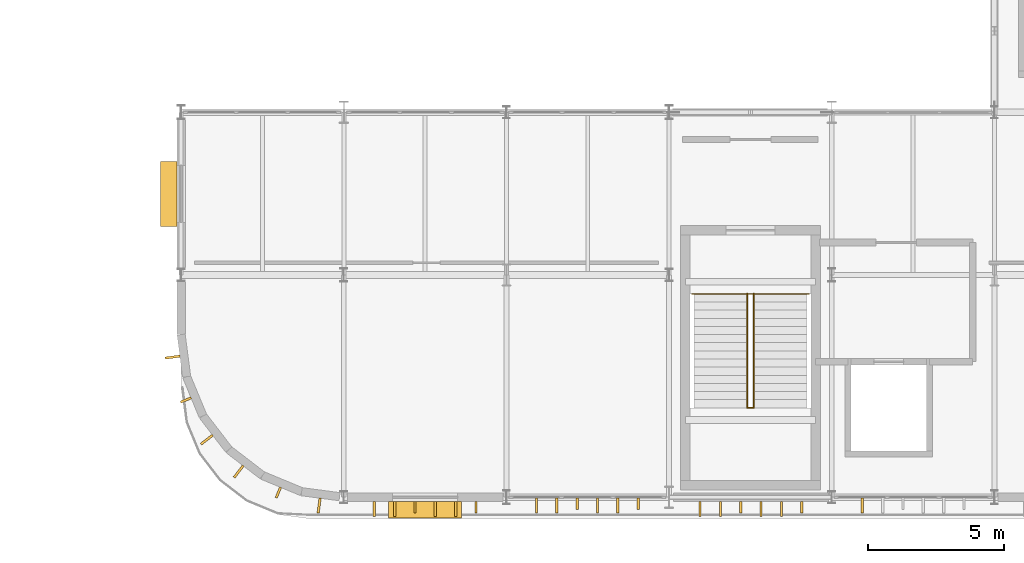
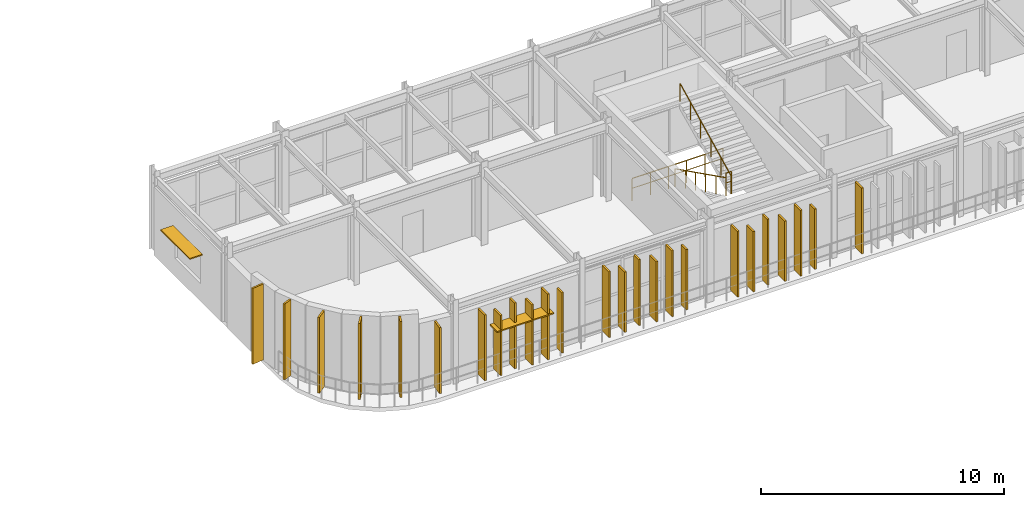
# One storey, part 75 of 83: 25 coverings, 4 railings, 2 shading devices.
"""IFC4 building model written with IfcOpenShell, lengths in metres."""

from ifc_helpers import new_model, si_unit, direction, frame, origin, origin_2d, place, context, subcontext, project, spatial, rectangle, circle, extrude, material, layer, layer_set, type_object, element, save


model = new_model("IFC4")

# Units and contexts
model_context = context("Model", 3, precision=1e-05, world=origin(), true_north=direction((0.0, 1.0)))
body_context = subcontext(model_context, "Body", "Model", "MODEL_VIEW")
ifc_project = project(units=[si_unit("LENGTHUNIT", "METRE"), si_unit("AREAUNIT", "SQUARE_METRE"), si_unit("VOLUMEUNIT", "CUBIC_METRE"), si_unit("PLANEANGLEUNIT", "RADIAN"), si_unit("MASSUNIT", "GRAM", prefix="KILO")], contexts=[model_context])

# Site, building, storey
site_placement = place(None, origin())
site = spatial("IfcSite", under=ifc_project, at=site_placement, CompositionType="ELEMENT")
building_placement = place(site_placement, origin())
building = spatial("IfcBuilding", under=site, at=building_placement, Name="Varnakota Square Police Headquarters", CompositionType="ELEMENT")
storey_placement = place(building_placement, frame((0.0, 0.0, 18.0)))
storey = spatial("IfcBuildingStorey", under=building, at=storey_placement, Name="L04", CompositionType="ELEMENT", Elevation=18.0)

# Coverings
ifc_material_1 = material(Name="White Anodised Aluminium Vertical Facade Blade 420", Category="aluminium")
ifc_layer_1 = layer(ifc_material_1, 0.0849609375, Name="White Anodised Aluminium Vertical Facade Blade 420")
ifc_layer_set_1 = layer_set([ifc_layer_1], Name="White Anodised Aluminium Vertical Facade Blade 420")
covering_type_1 = type_object("IfcCoveringType", Name="COV-FIN-420", PredefinedType="CLADDING", material=ifc_layer_set_1)
covering_1_placement = place(storey_placement, frame((116.625, 0.43505859375, 0.0400390625), z_axis=(0.0, 0.0, 1.0), x_axis=(1.0, 0.0, 0.0)))
element("IfcCovering", 1, at=covering_1_placement, inside=storey, type_object=covering_type_1, Name="Vertical aluminium facade fin FIN-0530", PredefinedType="CLADDING", context=body_context, shape_type="SweptSolid", body=[
    extrude(rectangle(XDim=0.0849609375, YDim=0.419921875, at=origin_2d()), origin(), (0.0, 0.0, 1.0), 3.31005859375),
])
covering_2_placement = place(storey_placement, frame((118.875, 0.43505859375, 0.0400390625), z_axis=(0.0, 0.0, 1.0), x_axis=(1.0, 0.0, 0.0)))
element("IfcCovering", 2, at=covering_2_placement, inside=storey, type_object=covering_type_1, Name="Vertical aluminium facade fin FIN-0533", PredefinedType="CLADDING", context=body_context, shape_type="SweptSolid", body=[
    extrude(rectangle(XDim=0.0849609375, YDim=0.419921875, at=origin_2d()), origin(), (0.0, 0.0, 1.0), 3.030029296875),
])
covering_3_placement = place(storey_placement, frame((122.607421875, 0.5625, 0.0400390625), z_axis=(0.0, 0.0, 1.0), x_axis=(1.0, 0.0, 0.0)))
element("IfcCovering", 3, at=covering_3_placement, inside=storey, type_object=covering_type_1, Name="Vertical aluminium facade fin FIN-0536", PredefinedType="CLADDING", context=body_context, shape_type="SweptSolid", body=[
    extrude(rectangle(XDim=0.0849609375, YDim=0.419921875, at=origin_2d()), origin(), (0.0, 0.0, 1.0), 3.31005859375),
])
covering_4_placement = place(storey_placement, frame((124.857421875, 0.5625, 0.0400390625), z_axis=(0.0, 0.0, 1.0), x_axis=(1.0, 0.0, 0.0)))
element("IfcCovering", 4, at=covering_4_placement, inside=storey, type_object=covering_type_1, Name="Vertical aluminium facade fin FIN-0539", PredefinedType="CLADDING", context=body_context, shape_type="SweptSolid", body=[
    extrude(rectangle(XDim=0.0849609375, YDim=0.419921875, at=origin_2d()), origin(), (0.0, 0.0, 1.0), 3.030029296875),
])
covering_5_placement = place(storey_placement, frame((128.642578125, 0.43505859375, 0.0400390625), z_axis=(0.0, 0.0, 1.0), x_axis=(1.0, 0.0, 0.0)))
element("IfcCovering", 5, at=covering_5_placement, inside=storey, type_object=covering_type_1, Name="Vertical aluminium facade fin FIN-0542", PredefinedType="CLADDING", context=body_context, shape_type="SweptSolid", body=[
    extrude(rectangle(XDim=0.0849609375, YDim=0.419921875, at=origin_2d()), origin(), (0.0, 0.0, 1.0), 3.31005859375),
])
covering_6_placement = place(storey_placement, frame((130.892578125, 0.43505859375, 0.0400390625), z_axis=(0.0, 0.0, 1.0), x_axis=(1.0, 0.0, 0.0)))
element("IfcCovering", 6, at=covering_6_placement, inside=storey, type_object=covering_type_1, Name="Vertical aluminium facade fin FIN-0545", PredefinedType="CLADDING", context=body_context, shape_type="SweptSolid", body=[
    extrude(rectangle(XDim=0.0849609375, YDim=0.419921875, at=origin_2d()), origin(), (0.0, 0.0, 1.0), 3.030029296875),
])
for number, where, z_axis, x_axis, name in (
    (7, (108.176025390625, 4.3876953125, 0.0400390625), (0.0, 0.0, 1.0), (0.382683432365, -0.923879532511, 0.0), "Vertical aluminium facade fin FIN-0610"),
    (8, (111.587646484375, 0.97607421875, 0.0400390625), (0.0, 0.0, 1.0), (0.923879532511, -0.382683432365, 0.0), "Vertical aluminium facade fin FIN-0613"),
):
    element("IfcCovering", number, at=place(storey_placement, frame(where, z_axis=z_axis, x_axis=x_axis)), inside=storey, type_object=covering_type_1, Name=name, PredefinedType="CLADDING", context=body_context, shape_type="SweptSolid", body=[
        extrude(rectangle(XDim=0.0849609375, YDim=0.419921875, at=origin_2d()), origin(), (0.0, 0.0, 1.0), 3.81494140625),
    ])
ifc_material_2 = material(Name="White Anodised Aluminium Vertical Facade Blade 550", Category="aluminium")
ifc_layer_2 = layer(ifc_material_2, 0.0849609375, Name="White Anodised Aluminium Vertical Facade Blade 550")
ifc_layer_set_2 = layer_set([ifc_layer_2], Name="White Anodised Aluminium Vertical Facade Blade 550")
covering_type_2 = type_object("IfcCoveringType", Name="COV-FIN-550", PredefinedType="CLADDING", material=ifc_layer_set_2)
covering_7_placement = place(storey_placement, frame((115.125, 0.3701171875, 0.0400390625), z_axis=(0.0, 0.0, 1.0), x_axis=(1.0, 0.0, 0.0)))
element("IfcCovering", 9, at=covering_7_placement, inside=storey, type_object=covering_type_2, Name="Vertical aluminium facade fin FIN-0528", PredefinedType="CLADDING", context=body_context, shape_type="SweptSolid", body=[
    extrude(rectangle(XDim=0.0849609375, YDim=0.550048828125, at=origin_2d()), origin(), (0.0, 0.0, 1.0), 3.31005859375),
])
for number, where, z_axis, x_axis, name in (
    (10, (115.875, 0.3701171875, 0.0400390625), (0.0, 0.0, 1.0), (1.0, 0.0, 0.0), "Vertical aluminium facade fin FIN-0529"),
    (11, (117.375, 0.3701171875, 0.0400390625), (0.0, 0.0, 1.0), (1.0, 0.0, 0.0), "Vertical aluminium facade fin FIN-0531"),
):
    element("IfcCovering", number, at=place(storey_placement, frame(where, z_axis=z_axis, x_axis=x_axis)), inside=storey, type_object=covering_type_2, Name=name, PredefinedType="CLADDING", context=body_context, shape_type="SweptSolid", body=[
        extrude(rectangle(XDim=0.0849609375, YDim=0.550048828125, at=origin_2d()), origin(), (0.0, 0.0, 1.0), 3.030029296875),
    ])
for number, where, z_axis, x_axis, name in (
    (12, (118.125, 0.3701171875, 0.0400390625), (0.0, 0.0, 1.0), (1.0, 0.0, 0.0), "Vertical aluminium facade fin FIN-0532"),
    (13, (121.107421875, 0.49755859375, 0.0400390625), (0.0, 0.0, 1.0), (1.0, 0.0, 0.0), "Vertical aluminium facade fin FIN-0534"),
):
    element("IfcCovering", number, at=place(storey_placement, frame(where, z_axis=z_axis, x_axis=x_axis)), inside=storey, type_object=covering_type_2, Name=name, PredefinedType="CLADDING", context=body_context, shape_type="SweptSolid", body=[
        extrude(rectangle(XDim=0.0849609375, YDim=0.550048828125, at=origin_2d()), origin(), (0.0, 0.0, 1.0), 3.31005859375),
    ])
for number, where, z_axis, x_axis, name in (
    (14, (121.857421875, 0.49755859375, 0.0400390625), (0.0, 0.0, 1.0), (1.0, 0.0, 0.0), "Vertical aluminium facade fin FIN-0535"),
    (15, (123.357421875, 0.49755859375, 0.0400390625), (0.0, 0.0, 1.0), (1.0, 0.0, 0.0), "Vertical aluminium facade fin FIN-0537"),
):
    element("IfcCovering", number, at=place(storey_placement, frame(where, z_axis=z_axis, x_axis=x_axis)), inside=storey, type_object=covering_type_2, Name=name, PredefinedType="CLADDING", context=body_context, shape_type="SweptSolid", body=[
        extrude(rectangle(XDim=0.0849609375, YDim=0.550048828125, at=origin_2d()), origin(), (0.0, 0.0, 1.0), 3.030029296875),
    ])
for number, where, z_axis, x_axis, name in (
    (16, (124.107421875, 0.49755859375, 0.0400390625), (0.0, 0.0, 1.0), (1.0, 0.0, 0.0), "Vertical aluminium facade fin FIN-0538"),
    (17, (127.142578125, 0.3701171875, 0.0400390625), (0.0, 0.0, 1.0), (1.0, 0.0, 0.0), "Vertical aluminium facade fin FIN-0540"),
):
    element("IfcCovering", number, at=place(storey_placement, frame(where, z_axis=z_axis, x_axis=x_axis)), inside=storey, type_object=covering_type_2, Name=name, PredefinedType="CLADDING", context=body_context, shape_type="SweptSolid", body=[
        extrude(rectangle(XDim=0.0849609375, YDim=0.550048828125, at=origin_2d()), origin(), (0.0, 0.0, 1.0), 3.31005859375),
    ])
for number, where, z_axis, x_axis, name in (
    (18, (127.892578125, 0.3701171875, 0.0400390625), (0.0, 0.0, 1.0), (1.0, 0.0, 0.0), "Vertical aluminium facade fin FIN-0541"),
    (19, (129.392578125, 0.3701171875, 0.0400390625), (0.0, 0.0, 1.0), (1.0, 0.0, 0.0), "Vertical aluminium facade fin FIN-0543"),
):
    element("IfcCovering", number, at=place(storey_placement, frame(where, z_axis=z_axis, x_axis=x_axis)), inside=storey, type_object=covering_type_2, Name=name, PredefinedType="CLADDING", context=body_context, shape_type="SweptSolid", body=[
        extrude(rectangle(XDim=0.0849609375, YDim=0.550048828125, at=origin_2d()), origin(), (0.0, 0.0, 1.0), 3.030029296875),
    ])
for number, where, z_axis, x_axis, name in (
    (20, (130.142578125, 0.3701171875, 0.0400390625), (0.0, 0.0, 1.0), (1.0, 0.0, 0.0), "Vertical aluminium facade fin FIN-0544"),
    (21, (133.125, 0.49755859375, 0.0400390625), (0.0, 0.0, 1.0), (1.0, 0.0, 0.0), "Vertical aluminium facade fin FIN-0546"),
):
    element("IfcCovering", number, at=place(storey_placement, frame(where, z_axis=z_axis, x_axis=x_axis)), inside=storey, type_object=covering_type_2, Name=name, PredefinedType="CLADDING", context=body_context, shape_type="SweptSolid", body=[
        extrude(rectangle(XDim=0.0849609375, YDim=0.550048828125, at=origin_2d()), origin(), (0.0, 0.0, 1.0), 3.31005859375),
    ])
for number, where, z_axis, x_axis, name in (
    (22, (107.685791015625, 5.96875, 0.0400390625), (0.0, 0.0, 1.0), (0.13052619222, -0.991444861374, 0.0), "Vertical aluminium facade fin FIN-0609"),
    (23, (108.947509765625, 2.923095703125, 0.0400390625), (0.0, 0.0, 1.0), (0.608761429009, -0.793353340291, 0.0), "Vertical aluminium facade fin FIN-0611"),
    (24, (110.123046875, 1.747314453125, 0.0400390625), (0.0, 0.0, 1.0), (0.793353340291, -0.608761429009, 0.0), "Vertical aluminium facade fin FIN-0612"),
):
    element("IfcCovering", number, at=place(storey_placement, frame(where, z_axis=z_axis, x_axis=x_axis)), inside=storey, type_object=covering_type_2, Name=name, PredefinedType="CLADDING", context=body_context, shape_type="SweptSolid", body=[
        extrude(rectangle(XDim=0.0849609375, YDim=0.550048828125, at=origin_2d()), origin(), (0.0, 0.0, 1.0), 3.81494140625),
    ])
covering_8_placement = place(storey_placement, frame((113.0908203125, 0.49609375, 0.0400390625), z_axis=(0.0, 0.0, 1.0), x_axis=(0.991444861374, -0.13052619222, 0.0)))
element("IfcCovering", 25, at=covering_8_placement, inside=storey, type_object=covering_type_2, Name="Vertical aluminium facade fin FIN-0614", PredefinedType="CLADDING", context=body_context, shape_type="SweptSolid", body=[
    extrude(rectangle(XDim=0.0849609375, YDim=0.550048828125, at=origin_2d()), origin(), (0.0, 0.0, 1.0), 3.31005859375),
])

# Railings
ifc_material_3 = material(Name="Brushed Stainless Steel Tubular Handrail", Category="steel")
railing_type_1 = type_object("IfcRailingType", Name="RL-HND-920", PredefinedType="HANDRAIL", material=ifc_material_3)
railing_1_placement = place(storey_placement, frame((128.8798828125, 8.300048828125, 0.0)))
element("IfcRailing", 26, at=railing_1_placement, inside=storey, type_object=railing_type_1, Name="Stair flight handrail HR-L04-009", PredefinedType="HANDRAIL", context=body_context, shape_type="SweptSolid", body=[
    extrude(circle(Radius=0.02392578125, at=origin_2d()), frame((0.0, 0.0, 0.89599609375), z_axis=(0.0, -0.894447983895, 0.447172007292), x_axis=(1.0, 0.0, 0.0)), (0.0, 0.0, 1.0), 4.6962890625),
    extrude(circle(Radius=0.02099609375, at=origin_2d()), origin(), (0.0, 0.0, 1.0), 0.871826171875),
    extrude(circle(Radius=0.02099609375, at=origin_2d()), frame((0.0, -0.840087890625, 0.419921875)), (0.0, 0.0, 1.0), 0.871826171875),
    extrude(circle(Radius=0.02099609375, at=origin_2d()), frame((0.0, -1.68017578125, 0.840087890625)), (0.0, 0.0, 1.0), 0.871826171875),
    extrude(circle(Radius=0.02099609375, at=origin_2d()), frame((0.0, -2.5205078125, 1.260009765625)), (0.0, 0.0, 1.0), 0.871826171875),
    extrude(circle(Radius=0.02099609375, at=origin_2d()), frame((0.0, -3.360595703125, 1.68017578125)), (0.0, 0.0, 1.0), 0.871826171875),
    extrude(circle(Radius=0.02099609375, at=origin_2d()), frame((0.0, -4.20068359375, 2.10009765625)), (0.0, 0.0, 1.0), 0.871826171875),
])
railing_2_placement = place(storey_placement, frame((129.1201171875, 4.099365234375, 2.10009765625)))
element("IfcRailing", 27, at=railing_2_placement, inside=storey, type_object=railing_type_1, Name="Stair flight handrail HR-L04-010", PredefinedType="HANDRAIL", context=body_context, shape_type="SweptSolid", body=[
    extrude(circle(Radius=0.02392578125, at=origin_2d()), frame((0.0, 0.0, 0.89599609375), z_axis=(0.0, 0.894468775824, 0.447130416184), x_axis=(-1.0, 0.0, 0.0)), (0.0, 0.0, 1.0), 4.6962890625),
    extrude(circle(Radius=0.02099609375, at=origin_2d()), origin(), (0.0, 0.0, 1.0), 0.871826171875),
    extrude(circle(Radius=0.02099609375, at=origin_2d()), frame((0.0, 0.840087890625, 0.419921875)), (0.0, 0.0, 1.0), 0.871826171875),
    extrude(circle(Radius=0.02099609375, at=origin_2d()), frame((0.0, 1.68017578125, 0.83984375)), (0.0, 0.0, 1.0), 0.871826171875),
    extrude(circle(Radius=0.02099609375, at=origin_2d()), frame((0.0, 2.5205078125, 1.260009765625)), (0.0, 0.0, 1.0), 0.871826171875),
    extrude(circle(Radius=0.02099609375, at=origin_2d()), frame((0.0, 3.360595703125, 1.679931640625)), (0.0, 0.0, 1.0), 0.871826171875),
    extrude(circle(Radius=0.02099609375, at=origin_2d()), frame((0.0, 4.20068359375, 2.099853515625)), (0.0, 0.0, 1.0), 0.871826171875),
])
ifc_material_4 = material(Name="Laminated Glass and Stainless Steel Balustrade", Category="steel")
railing_type_2 = type_object("IfcRailingType", Name="RL-INT-1150", PredefinedType="BALUSTRADE", material=ifc_material_4)
railing_3_placement = place(storey_placement, frame((126.840087890625, 8.300048828125, 0.0)))
element("IfcRailing", 28, at=railing_3_placement, inside=storey, type_object=railing_type_2, Name="Stair well safety guard C1 L04", PredefinedType="BALUSTRADE", context=body_context, shape_type="SweptSolid", body=[
    extrude(circle(Radius=0.02392578125, at=origin_2d()), frame((0.0, 0.0, 1.1259765625), z_axis=(1.0, 0.0, 0.0), x_axis=(0.0, 1.0, 0.0)), (0.0, 0.0, 1.0), 4.31982421875),
    extrude(circle(Radius=0.01806640625, at=origin_2d()), frame((0.0, 0.0, 0.63232421875), z_axis=(1.0, 0.0, 0.0), x_axis=(0.0, 1.0, 0.0)), (0.0, 0.0, 1.0), 4.31982421875),
    extrude(circle(Radius=0.02099609375, at=origin_2d()), origin(), (0.0, 0.0, 1.0), 1.101806640625),
    extrude(circle(Radius=0.02099609375, at=origin_2d()), frame((0.864013671875, 0.0, 0.0)), (0.0, 0.0, 1.0), 1.101806640625),
    extrude(circle(Radius=0.02099609375, at=origin_2d()), frame((1.72802734375, 0.0, 0.0)), (0.0, 0.0, 1.0), 1.101806640625),
    extrude(circle(Radius=0.02099609375, at=origin_2d()), frame((2.591796875, 0.0, 0.0)), (0.0, 0.0, 1.0), 1.101806640625),
    extrude(circle(Radius=0.02099609375, at=origin_2d()), frame((3.455810546875, 0.0, 0.0)), (0.0, 0.0, 1.0), 1.101806640625),
    extrude(circle(Radius=0.02099609375, at=origin_2d()), frame((4.31982421875, 0.0, 0.0)), (0.0, 0.0, 1.0), 1.101806640625),
])
railing_4_placement = place(storey_placement, frame((128.869873046875, 4.099365234375, 2.10009765625)))
element("IfcRailing", 29, at=railing_4_placement, inside=storey, type_object=railing_type_2, Name="Half-landing well guard C1 L04", PredefinedType="BALUSTRADE", context=body_context, shape_type="SweptSolid", body=[
    extrude(circle(Radius=0.02392578125, at=origin_2d()), frame((0.0, 0.0, 1.1259765625), z_axis=(1.0, 0.0, 0.0), x_axis=(0.0, 1.0, 0.0)), (0.0, 0.0, 1.0), 0.26025390625),
    extrude(circle(Radius=0.01806640625, at=origin_2d()), frame((0.0, 0.0, 0.63232421875), z_axis=(1.0, 0.0, 0.0), x_axis=(0.0, 1.0, 0.0)), (0.0, 0.0, 1.0), 0.26025390625),
    extrude(circle(Radius=0.02099609375, at=origin_2d()), origin(), (0.0, 0.0, 1.0), 1.101806640625),
    extrude(circle(Radius=0.02099609375, at=origin_2d()), frame((0.26025390625, 0.0, 0.0)), (0.0, 0.0, 1.0), 1.101806640625),
])

# Shading devices
ifc_material_5 = material(Name="Anodised Aluminium Horizontal Brise-Soleil", Category="aluminium")
ifc_layer_3 = layer(ifc_material_5, 0.06005859375, Name="Anodised Aluminium Horizontal Brise-Soleil")
ifc_layer_set_3 = layer_set([ifc_layer_3], Name="Anodised Aluminium Horizontal Brise-Soleil")
shading_device_type = type_object("IfcShadingDeviceType", Name="SHD-JAL-600", PredefinedType="JALOUSIE", material=ifc_layer_set_3)
shading_device_1_placement = place(storey_placement, frame((117.0, 0.342041015625, 2.300048828125), z_axis=(0.0, 0.0, 1.0), x_axis=(1.0, 0.0, 0.0)))
element("IfcShadingDevice", 30, at=shading_device_1_placement, inside=storey, type_object=shading_device_type, Name="Horizontal sunshade SHD-027", PredefinedType="JALOUSIE", context=body_context, shape_type="SweptSolid", body=[
    extrude(rectangle(XDim=2.699951171875, YDim=0.60009765625, at=origin_2d()), origin(), (0.0, 0.0, 1.0), 0.06005859375),
])
shading_device_2_placement = place(storey_placement, frame((107.5419921875, 11.987548828125, 2.39990234375), z_axis=(0.0, 0.0, 1.0), x_axis=(0.0, 1.0, 0.0)))
element("IfcShadingDevice", 31, at=shading_device_2_placement, inside=storey, type_object=shading_device_type, Name="Horizontal sunshade SHD-030", PredefinedType="JALOUSIE", context=body_context, shape_type="SweptSolid", body=[
    extrude(rectangle(XDim=2.39990234375, YDim=0.60009765625, at=origin_2d()), origin(), (0.0, 0.0, 1.0), 0.06005859375),
])

save(model, "model.ifc")
